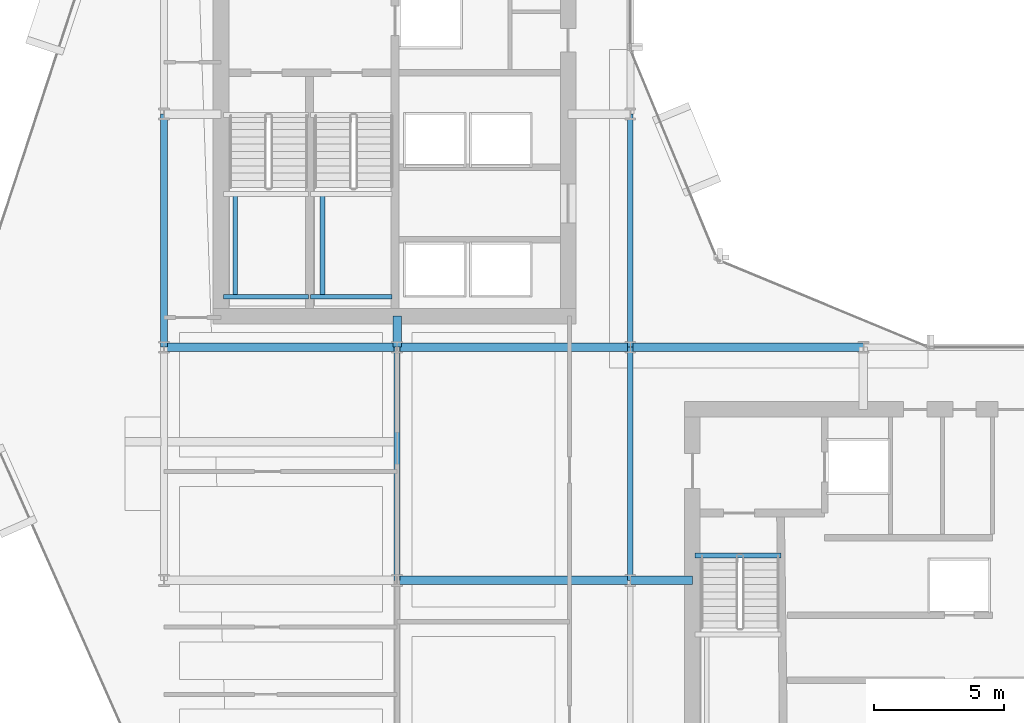
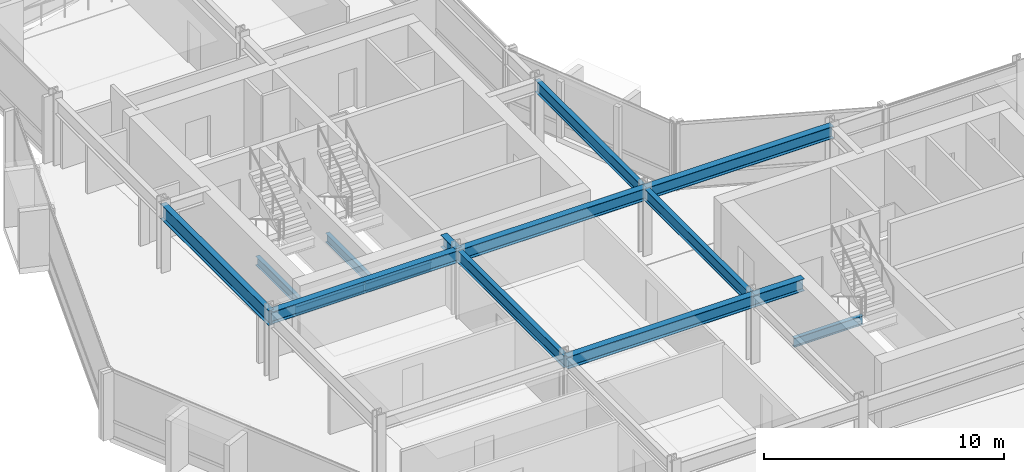
# One storey, part 7 of 28: 15 beams.
"""IFC4 building model written with IfcOpenShell, lengths in metres."""

from ifc_helpers import new_model, si_unit, direction, frame, origin, origin_2d, place, context, subcontext, project, spatial, i_section, extrude, material, material_profile, profile_set, type_object, element, save


model = new_model("IFC4")

# Units and contexts
model_context = context("Model", 3, precision=1e-05, world=origin(), true_north=direction((0.0, 1.0)))
body_context = subcontext(model_context, "Body", "Model", "MODEL_VIEW")
ifc_project = project(units=[si_unit("LENGTHUNIT", "METRE"), si_unit("AREAUNIT", "SQUARE_METRE"), si_unit("VOLUMEUNIT", "CUBIC_METRE"), si_unit("PLANEANGLEUNIT", "RADIAN"), si_unit("MASSUNIT", "GRAM", prefix="KILO")], contexts=[model_context])

# Site, building, storey
site_placement = place(None, origin())
site = spatial("IfcSite", under=ifc_project, at=site_placement, CompositionType="ELEMENT")
building_placement = place(site_placement, origin())
building = spatial("IfcBuilding", under=site, at=building_placement, Name="Solvaryn Broadcast Tower", CompositionType="ELEMENT")
storey_placement = place(building_placement, frame((0.0, 0.0, 110.0)))
storey = spatial("IfcBuildingStorey", under=building, at=storey_placement, Name="L26", CompositionType="ELEMENT", Elevation=110.0)

# Beams
ifc_material_1 = material(Name="Steel ASTM A992 Grade 50", Category="steel")
ifc_material_profile_1 = material_profile(ifc_material_1, i_section(OverallWidth=0.323974609375, OverallDepth=0.611083984375, WebThickness=0.0126953125, FlangeThickness=0.01904296875, FilletRadius=0.014892578125, at=origin_2d()))
ifc_profile_set_1 = profile_set([ifc_material_profile_1], Name="Steel ASTM A992 Grade 50")
beam_type_1 = type_object("IfcBeamType", Name="BM-B1-W24X104", PredefinedType="BEAM", material=ifc_profile_set_1)
for number, where, z_axis, x_axis, name in (
    (1, (18.0, 18.0, 3.114501953125), (1.0, 0.0, 0.0), (0.0, 1.0, 0.0), "L26 Primary Beam X (18-27 @ Y=18)"),
    (2, (9.0, 27.0, 3.114501953125), (1.0, 0.0, 0.0), (0.0, 1.0, 0.0), "L26 Primary Beam X (9-18 @ Y=27)"),
    (3, (18.0, 27.0, 3.114501953125), (1.0, 0.0, 0.0), (0.0, 1.0, 0.0), "L26 Primary Beam X (18-27 @ Y=27)"),
    (4, (27.0, 27.0, 3.114501953125), (1.0, 0.0, 0.0), (0.0, 1.0, 0.0), "L26 Primary Beam X (27-36 @ Y=27)"),
):
    element("IfcBeam", number, at=place(storey_placement, frame(where, z_axis=z_axis, x_axis=x_axis)), inside=storey, type_object=beam_type_1, Name=name, PredefinedType="BEAM", context=body_context, shape_type="SweptSolid", body=[
        extrude(i_section(OverallWidth=0.323974609375, OverallDepth=0.611083984375, WebThickness=0.0126953125, FlangeThickness=0.01904296875, FilletRadius=0.014892578125, at=origin_2d()), origin(), (0.0, 0.0, 1.0), 9.0),
    ])
beam_1_placement = place(storey_placement, frame((18.0, 27.0, 3.114501953125), z_axis=(0.0, 1.0, 0.0), x_axis=(-1.0, 0.0, 0.0)))
element("IfcBeam", 5, at=beam_1_placement, inside=storey, type_object=beam_type_1, Name="L26 Core Tie Beam CTW4", PredefinedType="BEAM", context=body_context, shape_type="SweptSolid", body=[
    extrude(i_section(OverallWidth=0.323974609375, OverallDepth=0.611083984375, WebThickness=0.0126953125, FlangeThickness=0.01904296875, FilletRadius=0.014892578125, at=origin_2d()), origin(), (0.0, 0.0, 1.0), 1.199951171875),
])
beam_2_placement = place(storey_placement, frame((27.0, 18.0, 3.114501953125), z_axis=(1.0, 0.0, 0.0), x_axis=(0.0, 1.0, 0.0)))
element("IfcBeam", 6, at=beam_2_placement, inside=storey, type_object=beam_type_1, Name="L26 Core Tie Beam CTE4", PredefinedType="BEAM", context=body_context, shape_type="SweptSolid", body=[
    extrude(i_section(OverallWidth=0.323974609375, OverallDepth=0.611083984375, WebThickness=0.0126953125, FlangeThickness=0.01904296875, FilletRadius=0.014892578125, at=origin_2d()), origin(), (0.0, 0.0, 1.0), 2.39990234375),
])
ifc_material_2 = material(Name="Steel ASTM A992 Grade 50", Category="steel")
ifc_material_profile_2 = material_profile(ifc_material_2, i_section(OverallWidth=0.22802734375, OverallDepth=0.60791015625, WebThickness=0.01123046875, FlangeThickness=0.017333984375, FilletRadius=0.014892578125, at=origin_2d()))
ifc_profile_set_2 = profile_set([ifc_material_profile_2], Name="Steel ASTM A992 Grade 50")
beam_type_2 = type_object("IfcBeamType", Name="BM-B2-W24X76", PredefinedType="BEAM", material=ifc_profile_set_2)
for number, where, z_axis, x_axis, name in (
    (7, (18.0, 18.0, 3.115966796875), (0.0, 1.0, 0.0), (-1.0, 0.0, 0.0), "L26 Primary Beam Y (18-27 @ X=18)"),
    (8, (27.0, 18.0, 3.115966796875), (0.0, 1.0, 0.0), (-1.0, 0.0, 0.0), "L26 Primary Beam Y (18-27 @ X=27)"),
    (9, (27.0, 27.0, 3.115966796875), (0.0, 1.0, 0.0), (-1.0, 0.0, 0.0), "L26 Primary Beam Y (27-36 @ X=27)"),
):
    element("IfcBeam", number, at=place(storey_placement, frame(where, z_axis=z_axis, x_axis=x_axis)), inside=storey, type_object=beam_type_2, Name=name, PredefinedType="BEAM", context=body_context, shape_type="SweptSolid", body=[
        extrude(i_section(OverallWidth=0.22802734375, OverallDepth=0.60791015625, WebThickness=0.01123046875, FlangeThickness=0.017333984375, FilletRadius=0.014892578125, at=origin_2d()), origin(), (0.0, 0.0, 1.0), 9.0),
    ])
ifc_material_3 = material(Name="Steel ASTM A992 Grade 50", Category="steel")
ifc_material_profile_3 = material_profile(ifc_material_3, i_section(OverallWidth=0.18994140625, OverallDepth=0.45703125, WebThickness=0.009033203125, FlangeThickness=0.014404296875, FilletRadius=0.011962890625, at=origin_2d()))
ifc_profile_set_3 = profile_set([ifc_material_profile_3], Name="Steel ASTM A992 Grade 50")
beam_type_3 = type_object("IfcBeamType", Name="BM-B4-W18X50", PredefinedType="BEAM", material=ifc_profile_set_3)
beam_3_placement = place(storey_placement, frame((11.300048828125, 28.949951171875, 1.42138671875), z_axis=(1.0, 0.0, 0.0), x_axis=(0.0, 1.0, 0.0)))
element("IfcBeam", 10, at=beam_3_placement, inside=storey, type_object=beam_type_3, Name="L26 ST1 Landing Support Beam 1A", PredefinedType="BEAM", context=body_context, shape_type="SweptSolid", body=[
    extrude(i_section(OverallWidth=0.18994140625, OverallDepth=0.45703125, WebThickness=0.009033203125, FlangeThickness=0.014404296875, FilletRadius=0.011962890625, at=origin_2d()), origin(), (0.0, 0.0, 1.0), 3.280029296875),
])
beam_4_placement = place(storey_placement, frame((11.75, 28.949951171875, 1.42138671875), z_axis=(0.0, 1.0, 0.0), x_axis=(-1.0, 0.0, 0.0)))
element("IfcBeam", 11, at=beam_4_placement, inside=storey, type_object=beam_type_3, Name="L26 ST1 Landing Cross Stringer 1C", PredefinedType="BEAM", context=body_context, shape_type="SweptSolid", body=[
    extrude(i_section(OverallWidth=0.18994140625, OverallDepth=0.45703125, WebThickness=0.009033203125, FlangeThickness=0.014404296875, FilletRadius=0.011962890625, at=origin_2d()), origin(), (0.0, 0.0, 1.0), 3.9599609375),
])
beam_5_placement = place(storey_placement, frame((14.659912109375, 28.949951171875, 1.42138671875), z_axis=(1.0, 0.0, 0.0), x_axis=(0.0, 1.0, 0.0)))
element("IfcBeam", 12, at=beam_5_placement, inside=storey, type_object=beam_type_3, Name="L26 ST2 Landing Support Beam 1A", PredefinedType="BEAM", context=body_context, shape_type="SweptSolid", body=[
    extrude(i_section(OverallWidth=0.18994140625, OverallDepth=0.45703125, WebThickness=0.009033203125, FlangeThickness=0.014404296875, FilletRadius=0.011962890625, at=origin_2d()), origin(), (0.0, 0.0, 1.0), 3.14013671875),
])
beam_6_placement = place(storey_placement, frame((15.110107421875, 28.949951171875, 1.42138671875), z_axis=(0.0, 1.0, 0.0), x_axis=(-1.0, 0.0, 0.0)))
element("IfcBeam", 13, at=beam_6_placement, inside=storey, type_object=beam_type_3, Name="L26 ST2 Landing Cross Stringer 1C", PredefinedType="BEAM", context=body_context, shape_type="SweptSolid", body=[
    extrude(i_section(OverallWidth=0.18994140625, OverallDepth=0.45703125, WebThickness=0.009033203125, FlangeThickness=0.014404296875, FilletRadius=0.011962890625, at=origin_2d()), origin(), (0.0, 0.0, 1.0), 3.9599609375),
])
beam_7_placement = place(storey_placement, frame((29.5, 18.9599609375, -0.508544921875), z_axis=(1.0, 0.0, 0.0), x_axis=(0.0, 1.0, 0.0)))
element("IfcBeam", 14, at=beam_7_placement, inside=storey, type_object=beam_type_3, Name="L26 ST3 Stair Well Trimmer Beam", PredefinedType="BEAM", context=body_context, shape_type="SweptSolid", body=[
    extrude(i_section(OverallWidth=0.18994140625, OverallDepth=0.45703125, WebThickness=0.009033203125, FlangeThickness=0.014404296875, FilletRadius=0.011962890625, at=origin_2d()), origin(), (0.0, 0.0, 1.0), 3.320068359375),
])
ifc_material_4 = material(Name="Steel ASTM A992 Grade 50", Category="steel")
ifc_material_profile_4 = material_profile(ifc_material_4, i_section(OverallWidth=0.26708984375, OverallDepth=0.76611328125, WebThickness=0.014892578125, FlangeThickness=0.023681640625, FilletRadius=0.01806640625, at=origin_2d()))
ifc_profile_set_4 = profile_set([ifc_material_profile_4], Name="Steel ASTM A992 Grade 50")
beam_type_4 = type_object("IfcBeamType", Name="BM-SP2-W30X124", PredefinedType="USERDEFINED", material=ifc_profile_set_4)
beam_8_placement = place(storey_placement, frame((9.0, 27.0, 3.037109375), z_axis=(0.0, 1.0, 0.0), x_axis=(-1.0, 0.0, 0.0)))
element("IfcBeam", 15, at=beam_8_placement, inside=storey, type_object=beam_type_4, Name="L26 Spandrel Beam Y (27-36 @ X=9)", ObjectType="SPANDREL", PredefinedType="USERDEFINED", context=body_context, shape_type="SweptSolid", body=[
    extrude(i_section(OverallWidth=0.26708984375, OverallDepth=0.76611328125, WebThickness=0.014892578125, FlangeThickness=0.023681640625, FilletRadius=0.01806640625, at=origin_2d()), origin(), (0.0, 0.0, 1.0), 9.0),
])

save(model, "model.ifc")
